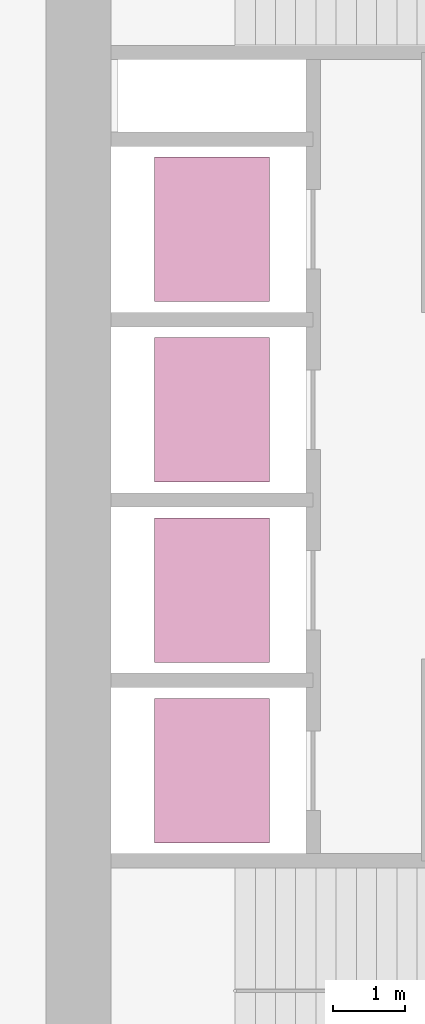
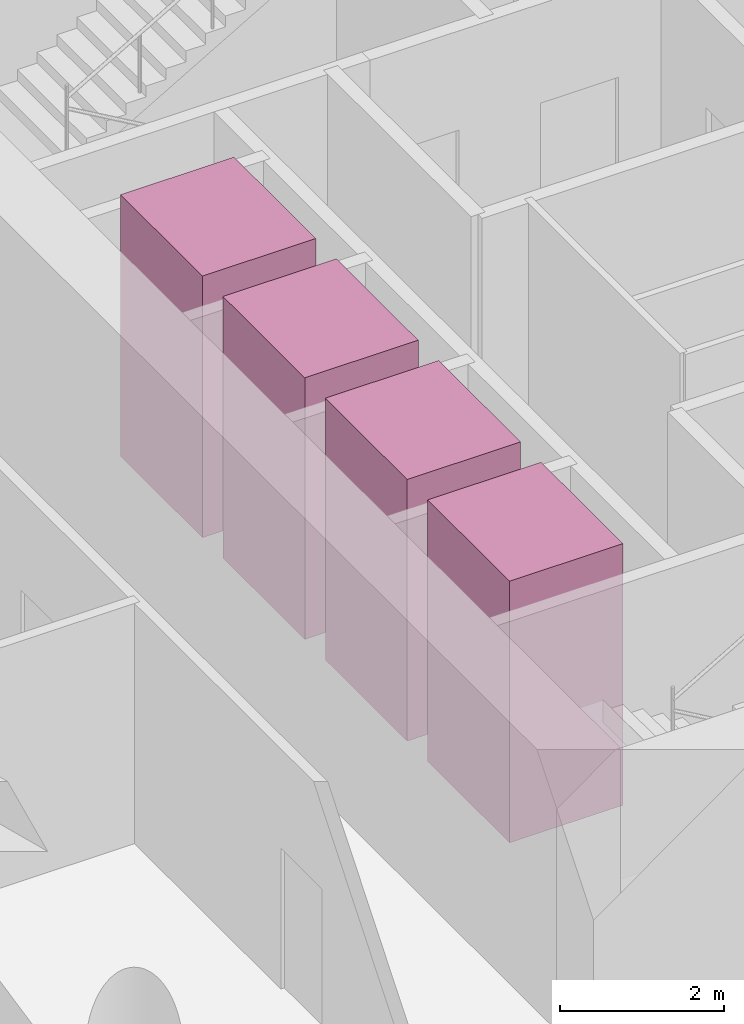
# One storey, part 10 of 10: 4 transport elements.
"""IFC4 building model written with IfcOpenShell, lengths in metres."""

from ifc_helpers import new_model, si_unit, direction, frame, origin, origin_2d, place, context, subcontext, project, spatial, rectangle, extrude, material, type_object, element, save


model = new_model("IFC4")

# Units and contexts
model_context = context("Model", 3, precision=1e-05, world=origin(), true_north=direction((0.0, 1.0)))
body_context = subcontext(model_context, "Body", "Model", "MODEL_VIEW")
ifc_project = project(units=[si_unit("LENGTHUNIT", "METRE"), si_unit("AREAUNIT", "SQUARE_METRE"), si_unit("VOLUMEUNIT", "CUBIC_METRE"), si_unit("PLANEANGLEUNIT", "RADIAN"), si_unit("MASSUNIT", "GRAM", prefix="KILO")], contexts=[model_context])

# Site, building, storey
site_placement = place(None, origin())
site = spatial("IfcSite", under=ifc_project, at=site_placement, CompositionType="ELEMENT")
building_placement = place(site_placement, origin())
building = spatial("IfcBuilding", under=site, at=building_placement, Name="Qaws Garden Tower", CompositionType="ELEMENT")
storey_placement = place(building_placement, frame((0.0, 0.0, 62.699951171875)))
storey = spatial("IfcBuildingStorey", under=building, at=storey_placement, Name="L15", CompositionType="ELEMENT", Elevation=62.699951171875)

# Transport elements
ifc_material = material(Name="Stainless steel 316", Category="steel")
transport_element_type = type_object("IfcTransportElementType", Name="Passenger lift car 2000x1600 1800 kg", PredefinedType="ELEVATOR", material=ifc_material)
for number, where, z_axis, x_axis, name in (
    (1, (10.300048828125, 13.64990234375, 0.0), (0.0, 0.0, 1.0), (1.0, 0.0, 0.0), "LR1"),
    (2, (10.300048828125, 16.14990234375, 0.0), (0.0, 0.0, 1.0), (1.0, 0.0, 0.0), "LR2"),
    (3, (10.300048828125, 18.64990234375, 0.0), (0.0, 0.0, 1.0), (1.0, 0.0, 0.0), "LR3"),
    (4, (10.300048828125, 21.14990234375, 0.0), (0.0, 0.0, 1.0), (1.0, 0.0, 0.0), "LR4"),
):
    element("IfcTransportElement", number, at=place(storey_placement, frame(where, z_axis=z_axis, x_axis=x_axis)), inside=storey, type_object=transport_element_type, Name=name, PredefinedType="ELEVATOR", context=body_context, shape_type="SweptSolid", body=[
        extrude(rectangle(XDim=1.60009765625, YDim=2.0, at=origin_2d()), origin(), (0.0, 0.0, 1.0), 3.89990234375),
    ])

save(model, "model.ifc")
